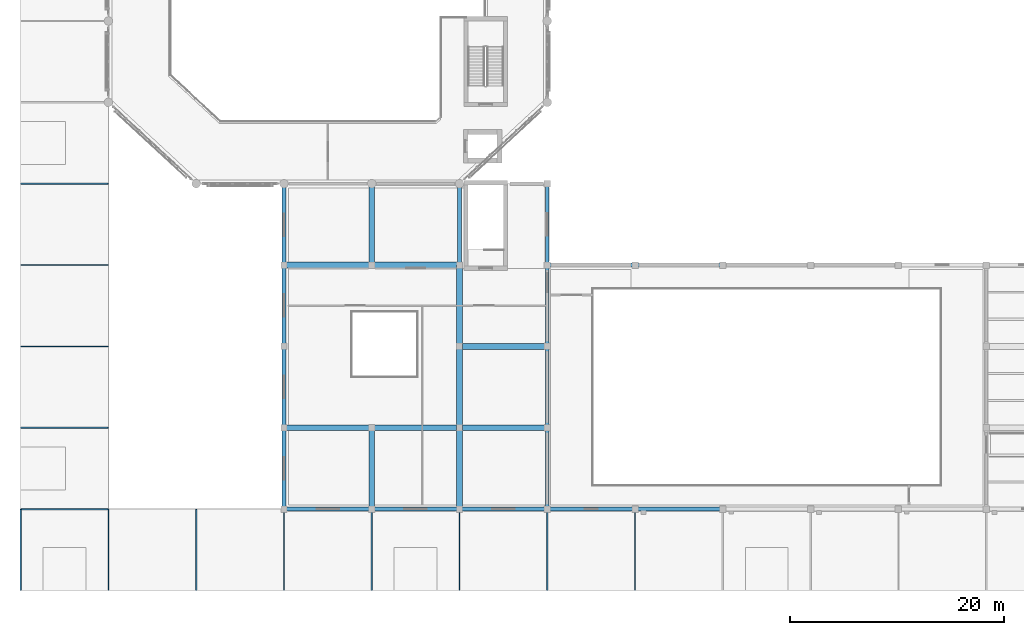
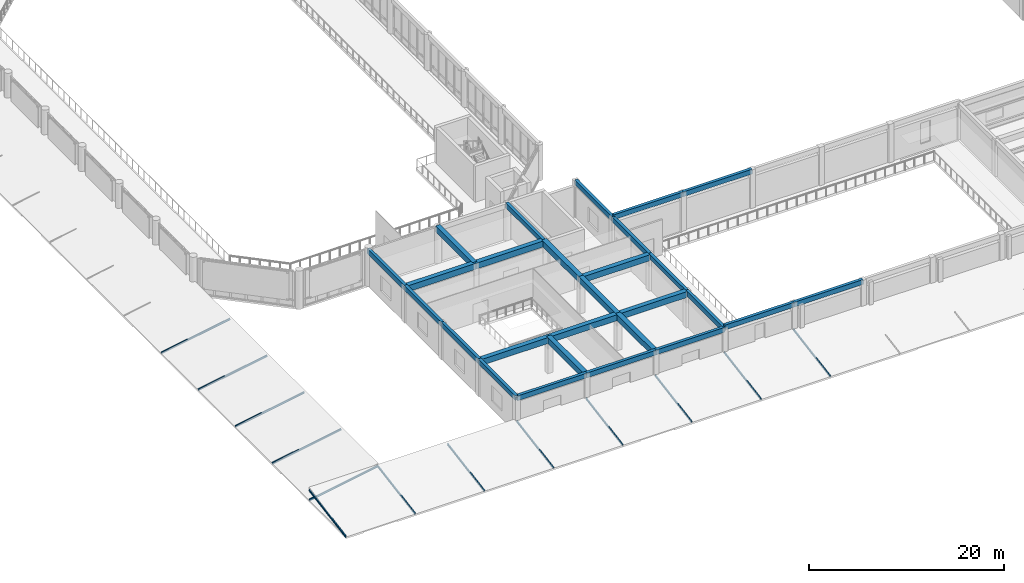
# One storey, part 4 of 57: 27 beams, 13 members.
"""IFC4 building model written with IfcOpenShell, lengths in metres."""

from ifc_helpers import new_model, si_unit, direction, frame, origin, origin_2d, place, context, subcontext, project, spatial, rectangle, i_section, extrude, material, material_profile, profile_set, type_object, element, save


model = new_model("IFC4")

# Units and contexts
model_context = context("Model", 3, precision=1e-05, world=origin(), true_north=direction((0.0, 1.0)))
body_context = subcontext(model_context, "Body", "Model", "MODEL_VIEW")
ifc_project = project(units=[si_unit("LENGTHUNIT", "METRE"), si_unit("AREAUNIT", "SQUARE_METRE"), si_unit("VOLUMEUNIT", "CUBIC_METRE"), si_unit("PLANEANGLEUNIT", "RADIAN"), si_unit("MASSUNIT", "GRAM", prefix="KILO")], contexts=[model_context])

# Site, building, storey
site_placement = place(None, origin())
site = spatial("IfcSite", under=ifc_project, at=site_placement, CompositionType="ELEMENT")
building_placement = place(site_placement, origin())
building = spatial("IfcBuilding", under=site, at=building_placement, Name="Qandaris Square Conservatory and Botanical Centre", CompositionType="ELEMENT")
storey_placement = place(building_placement, frame((0.0, 0.0, 5.39990234375)))
storey = spatial("IfcBuildingStorey", under=building, at=storey_placement, Name="L01", CompositionType="ELEMENT", Elevation=5.39990234375)

# Members
ifc_material_1 = material(Name="Steel S355", Category="steel")
ifc_material_profile_1 = material_profile(ifc_material_1, i_section(OverallWidth=0.1201171875, OverallDepth=0.239990234375, WebThickness=0.006103515625, FlangeThickness=0.009765625, FilletRadius=0.014892578125, at=origin_2d()), Name="IPE 240")
ifc_profile_set_1 = profile_set([ifc_material_profile_1], Name="Steel S355")
member_type = type_object("IfcMemberType", Name="Colonnade Prairie Rafter IPE 240", PredefinedType="RAFTER", material=ifc_profile_set_1)
for number, where, z_axis, x_axis, name in (
    (1, (8.0, 9.0, 0.0), (0.0, 0.985248666016, 0.17112879978), (-1.0, 0.0, 0.0), "Colonnade South Rafter 013"),
    (2, (16.199951171875, 9.0, 0.0), (0.0, 0.985248666016, 0.17112879978), (-1.0, 0.0, 0.0), "Colonnade South Rafter 014"),
    (3, (24.39990234375, 9.0, 0.0), (0.0, 0.985248666016, 0.17112879978), (-1.0, 0.0, 0.0), "Colonnade South Rafter 015"),
    (4, (32.60009765625, 9.0, 0.0), (0.0, 0.985248666016, 0.17112879978), (-1.0, 0.0, 0.0), "Colonnade South Rafter 016"),
    (5, (40.800048828125, 9.0, 0.0), (0.0, 0.985248666016, 0.17112879978), (-1.0, 0.0, 0.0), "Colonnade South Rafter 017"),
    (6, (49.0, 9.0, 0.0), (0.0, 0.985248666016, 0.17112879978), (-1.0, 0.0, 0.0), "Colonnade South Rafter 018"),
    (7, (57.199951171875, 9.0, 0.0), (0.0, 0.985248666016, 0.17112879978), (-1.0, 0.0, 0.0), "Colonnade South Rafter 019"),
    (8, (65.39990234375, 9.0, 0.0), (0.0, 0.985248666016, 0.17112879978), (-1.0, 0.0, 0.0), "Colonnade South Rafter 020"),
):
    element("IfcMember", number, at=place(storey_placement, frame(where, z_axis=z_axis, x_axis=x_axis)), inside=storey, type_object=member_type, Name=name, PredefinedType="RAFTER", context=body_context, shape_type="SweptSolid", body=[
        extrude(i_section(OverallWidth=0.1201171875, OverallDepth=0.239990234375, WebThickness=0.006103515625, FlangeThickness=0.009765625, FilletRadius=0.014892578125, at=origin_2d()), origin(), (0.0, 0.0, 1.0), 7.7138671875),
    ])
for number, where, z_axis, x_axis, name in (
    (9, (8.0, 16.60009765625, 0.0), (0.984924346364, 0.0, 0.172985640849), (0.0, 1.0, 0.0), "Colonnade West Rafter 034"),
    (10, (8.0, 24.199951171875, 0.0), (0.984924346364, 0.0, 0.172985640849), (0.0, 1.0, 0.0), "Colonnade West Rafter 036"),
    (11, (8.0, 31.800048828125, 0.0), (0.984924346364, 0.0, 0.172985640849), (0.0, 1.0, 0.0), "Colonnade West Rafter 038"),
    (12, (8.0, 39.39990234375, 0.0), (0.984924346364, 0.0, 0.172985640849), (0.0, 1.0, 0.0), "Colonnade West Rafter 040"),
    (13, (8.0, 47.0, 0.0), (0.984924346364, 0.0, 0.172985640849), (0.0, 1.0, 0.0), "Colonnade West Rafter 042"),
):
    element("IfcMember", number, at=place(storey_placement, frame(where, z_axis=z_axis, x_axis=x_axis)), inside=storey, type_object=member_type, Name=name, PredefinedType="RAFTER", context=body_context, shape_type="SweptSolid", body=[
        extrude(i_section(OverallWidth=0.1201171875, OverallDepth=0.239990234375, WebThickness=0.006103515625, FlangeThickness=0.009765625, FilletRadius=0.014892578125, at=origin_2d()), origin(), (0.0, 0.0, 1.0), 8.325439453125),
    ])

# Beams
ifc_material_2 = material(Name="Concrete C50/60", Category="concrete")
ifc_material_profile_2 = material_profile(ifc_material_2, rectangle(XDim=0.35009765625, YDim=0.60009765625, at=origin_2d()), Name="RC-SP 350x600")
ifc_profile_set_2 = profile_set([ifc_material_profile_2], Name="Concrete C50/60")
beam_type_1 = type_object("IfcBeamType", Name="RC Edge Spandrel Beam 350x600", PredefinedType="SPANDREL", material=ifc_profile_set_2)
for number, where, z_axis, x_axis, name in (
    (14, (32.60009765625, 16.60009765625, 4.2451171875), (1.0, 0.0, 0.0), (0.0, 1.0, 0.0), "L01 Frame Beam 0899"),
    (15, (40.800048828125, 16.60009765625, 4.2451171875), (1.0, 0.0, 0.0), (0.0, 1.0, 0.0), "L01 Frame Beam 0900"),
    (16, (49.0, 16.60009765625, 4.2451171875), (1.0, 0.0, 0.0), (0.0, 1.0, 0.0), "L01 Frame Beam 0901"),
    (17, (57.199951171875, 16.60009765625, 4.5), (1.0, 0.0, 0.0), (0.0, 1.0, 0.0), "L01 Frame Beam 0902"),
):
    element("IfcBeam", number, at=place(storey_placement, frame(where, z_axis=z_axis, x_axis=x_axis)), inside=storey, type_object=beam_type_1, Name=name, PredefinedType="SPANDREL", context=body_context, shape_type="SweptSolid", body=[
        extrude(rectangle(XDim=0.35009765625, YDim=0.60009765625, at=origin_2d()), origin(), (0.0, 0.0, 1.0), 8.199951171875),
    ])
beam_1_placement = place(storey_placement, frame((65.39990234375, 16.60009765625, 4.5), z_axis=(1.0, 0.0, 0.0), x_axis=(0.0, 1.0, 0.0)))
element("IfcBeam", 18, at=beam_1_placement, inside=storey, type_object=beam_type_1, Name="L01 Frame Beam 0903", PredefinedType="SPANDREL", context=body_context, shape_type="SweptSolid", body=[
    extrude(rectangle(XDim=0.35009765625, YDim=0.60009765625, at=origin_2d()), origin(), (0.0, 0.0, 1.0), 8.2001953125),
])
beam_2_placement = place(storey_placement, frame((57.199951171875, 39.39990234375, 4.5), z_axis=(1.0, 0.0, 0.0), x_axis=(0.0, 1.0, 0.0)))
element("IfcBeam", 19, at=beam_2_placement, inside=storey, type_object=beam_type_1, Name="L01 Frame Beam 0934", PredefinedType="SPANDREL", context=body_context, shape_type="SweptSolid", body=[
    extrude(rectangle(XDim=0.35009765625, YDim=0.60009765625, at=origin_2d()), origin(), (0.0, 0.0, 1.0), 8.199951171875),
])
beam_3_placement = place(storey_placement, frame((65.39990234375, 39.39990234375, 4.5), z_axis=(1.0, 0.0, 0.0), x_axis=(0.0, 1.0, 0.0)))
element("IfcBeam", 20, at=beam_3_placement, inside=storey, type_object=beam_type_1, Name="L01 Frame Beam 0935", PredefinedType="SPANDREL", context=body_context, shape_type="SweptSolid", body=[
    extrude(rectangle(XDim=0.35009765625, YDim=0.60009765625, at=origin_2d()), origin(), (0.0, 0.0, 1.0), 8.2001953125),
])
beam_4_placement = place(storey_placement, frame((32.60009765625, 16.60009765625, 4.2451171875), z_axis=(0.0, 1.0, 0.0), x_axis=(-1.0, 0.0, 0.0)))
element("IfcBeam", 21, at=beam_4_placement, inside=storey, type_object=beam_type_1, Name="L01 Frame Beam 1026", PredefinedType="SPANDREL", context=body_context, shape_type="SweptSolid", body=[
    extrude(rectangle(XDim=0.35009765625, YDim=0.60009765625, at=origin_2d()), origin(), (0.0, 0.0, 1.0), 7.599853515625),
])
beam_5_placement = place(storey_placement, frame((32.60009765625, 24.199951171875, 4.2451171875), z_axis=(0.0, 1.0, 0.0), x_axis=(-1.0, 0.0, 0.0)))
element("IfcBeam", 22, at=beam_5_placement, inside=storey, type_object=beam_type_1, Name="L01 Frame Beam 1027", PredefinedType="SPANDREL", context=body_context, shape_type="SweptSolid", body=[
    extrude(rectangle(XDim=0.35009765625, YDim=0.60009765625, at=origin_2d()), origin(), (0.0, 0.0, 1.0), 7.60009765625),
])
beam_6_placement = place(storey_placement, frame((32.60009765625, 31.800048828125, 4.2451171875), z_axis=(0.0, 1.0, 0.0), x_axis=(-1.0, 0.0, 0.0)))
element("IfcBeam", 23, at=beam_6_placement, inside=storey, type_object=beam_type_1, Name="L01 Frame Beam 1028", PredefinedType="SPANDREL", context=body_context, shape_type="SweptSolid", body=[
    extrude(rectangle(XDim=0.35009765625, YDim=0.60009765625, at=origin_2d()), origin(), (0.0, 0.0, 1.0), 7.599853515625),
])
for number, where, z_axis, x_axis, name in (
    (24, (32.60009765625, 39.39990234375, 4.2451171875), (0.0, 1.0, 0.0), (-1.0, 0.0, 0.0), "L01 Frame Beam 1029"),
    (25, (49.0, 39.39990234375, 4.2451171875), (0.0, 1.0, 0.0), (-1.0, 0.0, 0.0), "L01 Frame Beam 1035"),
):
    element("IfcBeam", number, at=place(storey_placement, frame(where, z_axis=z_axis, x_axis=x_axis)), inside=storey, type_object=beam_type_1, Name=name, PredefinedType="SPANDREL", context=body_context, shape_type="SweptSolid", body=[
        extrude(rectangle(XDim=0.35009765625, YDim=0.60009765625, at=origin_2d()), origin(), (0.0, 0.0, 1.0), 7.60009765625),
    ])
beam_7_placement = place(storey_placement, frame((57.199951171875, 16.60009765625, 4.2451171875), z_axis=(0.0, 1.0, 0.0), x_axis=(-1.0, 0.0, 0.0)))
element("IfcBeam", 26, at=beam_7_placement, inside=storey, type_object=beam_type_1, Name="L01 Frame Beam 1036", PredefinedType="SPANDREL", context=body_context, shape_type="SweptSolid", body=[
    extrude(rectangle(XDim=0.35009765625, YDim=0.60009765625, at=origin_2d()), origin(), (0.0, 0.0, 1.0), 7.599853515625),
])
beam_8_placement = place(storey_placement, frame((57.199951171875, 24.199951171875, 4.2451171875), z_axis=(0.0, 1.0, 0.0), x_axis=(-1.0, 0.0, 0.0)))
element("IfcBeam", 27, at=beam_8_placement, inside=storey, type_object=beam_type_1, Name="L01 Frame Beam 1037", PredefinedType="SPANDREL", context=body_context, shape_type="SweptSolid", body=[
    extrude(rectangle(XDim=0.35009765625, YDim=0.60009765625, at=origin_2d()), origin(), (0.0, 0.0, 1.0), 7.60009765625),
])
beam_9_placement = place(storey_placement, frame((57.199951171875, 31.800048828125, 4.2451171875), z_axis=(0.0, 1.0, 0.0), x_axis=(-1.0, 0.0, 0.0)))
element("IfcBeam", 28, at=beam_9_placement, inside=storey, type_object=beam_type_1, Name="L01 Frame Beam 1038", PredefinedType="SPANDREL", context=body_context, shape_type="SweptSolid", body=[
    extrude(rectangle(XDim=0.35009765625, YDim=0.60009765625, at=origin_2d()), origin(), (0.0, 0.0, 1.0), 7.599853515625),
])
beam_10_placement = place(storey_placement, frame((57.199951171875, 39.39990234375, 4.2451171875), z_axis=(0.0, 1.0, 0.0), x_axis=(-1.0, 0.0, 0.0)))
element("IfcBeam", 29, at=beam_10_placement, inside=storey, type_object=beam_type_1, Name="L01 Frame Beam 1039", PredefinedType="SPANDREL", context=body_context, shape_type="SweptSolid", body=[
    extrude(rectangle(XDim=0.35009765625, YDim=0.60009765625, at=origin_2d()), origin(), (0.0, 0.0, 1.0), 7.60009765625),
])
ifc_material_profile_3 = material_profile(ifc_material_2, rectangle(XDim=0.550048828125, YDim=0.75, at=origin_2d()), Name="RC-BM 550x750")
ifc_profile_set_3 = profile_set([ifc_material_profile_3], Name="Concrete C50/60")
beam_type_2 = type_object("IfcBeamType", Name="RC Plinth Girder 550x750", PredefinedType="BEAM", material=ifc_profile_set_3)
for number, where, z_axis, x_axis, name in (
    (30, (32.60009765625, 24.199951171875, 4.170166015625), (1.0, 0.0, 0.0), (0.0, 1.0, 0.0), "L01 Frame Beam 0915"),
    (31, (40.800048828125, 24.199951171875, 4.170166015625), (1.0, 0.0, 0.0), (0.0, 1.0, 0.0), "L01 Frame Beam 0916"),
    (32, (49.0, 24.199951171875, 4.170166015625), (1.0, 0.0, 0.0), (0.0, 1.0, 0.0), "L01 Frame Beam 0917"),
    (33, (49.0, 31.800048828125, 4.170166015625), (1.0, 0.0, 0.0), (0.0, 1.0, 0.0), "L01 Frame Beam 0925"),
    (34, (32.60009765625, 39.39990234375, 4.170166015625), (1.0, 0.0, 0.0), (0.0, 1.0, 0.0), "L01 Frame Beam 0932"),
    (35, (40.800048828125, 39.39990234375, 4.170166015625), (1.0, 0.0, 0.0), (0.0, 1.0, 0.0), "L01 Frame Beam 0933"),
):
    element("IfcBeam", number, at=place(storey_placement, frame(where, z_axis=z_axis, x_axis=x_axis)), inside=storey, type_object=beam_type_2, Name=name, PredefinedType="BEAM", context=body_context, shape_type="SweptSolid", body=[
        extrude(rectangle(XDim=0.550048828125, YDim=0.75, at=origin_2d()), origin(), (0.0, 0.0, 1.0), 8.199951171875),
    ])
beam_11_placement = place(storey_placement, frame((40.800048828125, 16.60009765625, 4.170166015625), z_axis=(0.0, 1.0, 0.0), x_axis=(-1.0, 0.0, 0.0)))
element("IfcBeam", 36, at=beam_11_placement, inside=storey, type_object=beam_type_2, Name="L01 Frame Beam 1030", PredefinedType="BEAM", context=body_context, shape_type="SweptSolid", body=[
    extrude(rectangle(XDim=0.550048828125, YDim=0.75, at=origin_2d()), origin(), (0.0, 0.0, 1.0), 7.599853515625),
])
beam_12_placement = place(storey_placement, frame((40.800048828125, 39.39990234375, 4.170166015625), z_axis=(0.0, 1.0, 0.0), x_axis=(-1.0, 0.0, 0.0)))
element("IfcBeam", 37, at=beam_12_placement, inside=storey, type_object=beam_type_2, Name="L01 Frame Beam 1031", PredefinedType="BEAM", context=body_context, shape_type="SweptSolid", body=[
    extrude(rectangle(XDim=0.550048828125, YDim=0.75, at=origin_2d()), origin(), (0.0, 0.0, 1.0), 7.60009765625),
])
beam_13_placement = place(storey_placement, frame((49.0, 16.60009765625, 4.170166015625), z_axis=(0.0, 1.0, 0.0), x_axis=(-1.0, 0.0, 0.0)))
element("IfcBeam", 38, at=beam_13_placement, inside=storey, type_object=beam_type_2, Name="L01 Frame Beam 1032", PredefinedType="BEAM", context=body_context, shape_type="SweptSolid", body=[
    extrude(rectangle(XDim=0.550048828125, YDim=0.75, at=origin_2d()), origin(), (0.0, 0.0, 1.0), 7.599853515625),
])
beam_14_placement = place(storey_placement, frame((49.0, 24.199951171875, 4.170166015625), z_axis=(0.0, 1.0, 0.0), x_axis=(-1.0, 0.0, 0.0)))
element("IfcBeam", 39, at=beam_14_placement, inside=storey, type_object=beam_type_2, Name="L01 Frame Beam 1033", PredefinedType="BEAM", context=body_context, shape_type="SweptSolid", body=[
    extrude(rectangle(XDim=0.550048828125, YDim=0.75, at=origin_2d()), origin(), (0.0, 0.0, 1.0), 7.60009765625),
])
beam_15_placement = place(storey_placement, frame((49.0, 31.800048828125, 4.170166015625), z_axis=(0.0, 1.0, 0.0), x_axis=(-1.0, 0.0, 0.0)))
element("IfcBeam", 40, at=beam_15_placement, inside=storey, type_object=beam_type_2, Name="L01 Frame Beam 1034", PredefinedType="BEAM", context=body_context, shape_type="SweptSolid", body=[
    extrude(rectangle(XDim=0.550048828125, YDim=0.75, at=origin_2d()), origin(), (0.0, 0.0, 1.0), 7.599853515625),
])

save(model, "model.ifc")
